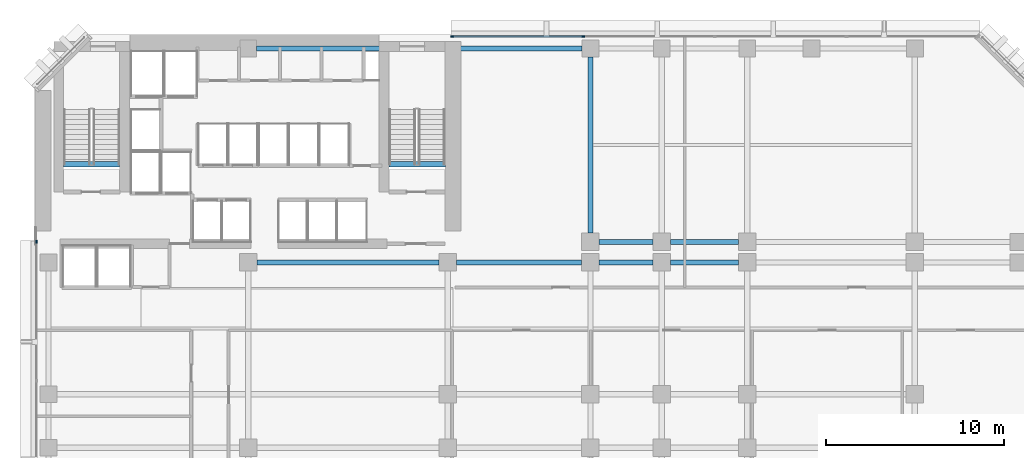
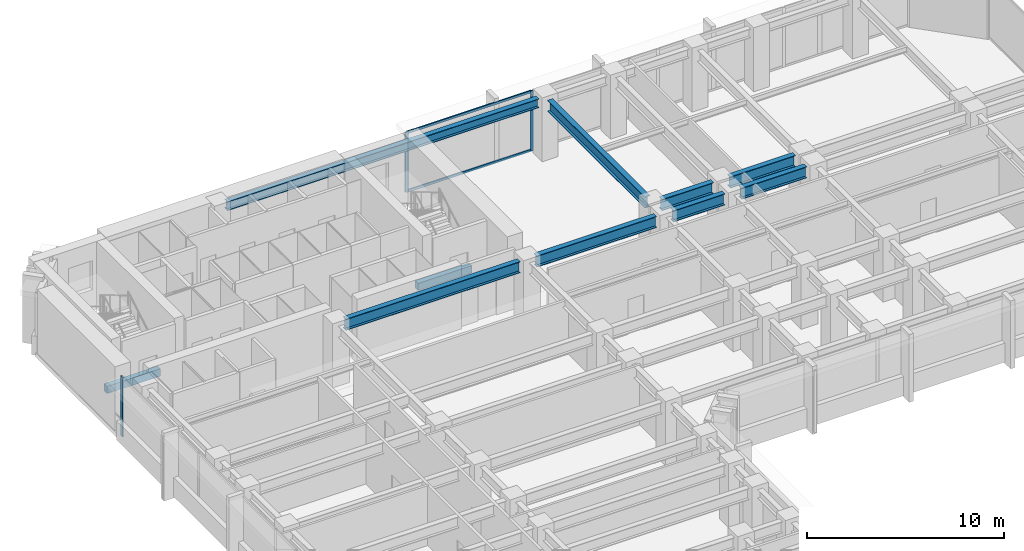
# One storey, part 4 of 14: 10 beams, 5 members, 2 elements without a shape of their own.
"""IFC4 building model written with IfcOpenShell, lengths in metres."""

from ifc_helpers import new_model, si_unit, direction, frame, origin, origin_2d, place, context, subcontext, project, spatial, rectangle, i_section, extrude, material, layer, layer_set, material_profile, profile_set, type_object, element, aggregate, save


model = new_model("IFC4")

# Units and contexts
model_context = context("Model", 3, precision=1e-05, world=origin(), true_north=direction((0.0, 1.0)))
body_context = subcontext(model_context, "Body", "Model", "MODEL_VIEW")
ifc_project = project(units=[si_unit("LENGTHUNIT", "METRE"), si_unit("AREAUNIT", "SQUARE_METRE"), si_unit("VOLUMEUNIT", "CUBIC_METRE"), si_unit("PLANEANGLEUNIT", "RADIAN"), si_unit("MASSUNIT", "GRAM", prefix="KILO")], contexts=[model_context])

# Site, building, storey
site_placement = place(None, origin())
site = spatial("IfcSite", under=ifc_project, at=site_placement, CompositionType="ELEMENT")
building_placement = place(site_placement, origin())
building = spatial("IfcBuilding", under=site, at=building_placement, Name="Kefirva Bronze Tower", CompositionType="ELEMENT")
storey_placement = place(building_placement, frame((0.0, 0.0, 50.159912109375)))
storey = spatial("IfcBuildingStorey", under=building, at=storey_placement, Name="L11", CompositionType="ELEMENT", Elevation=50.159912109375)

# Curtain wall, members
ifc_material_1 = material(Name="Bronze anodised aluminium", Category="aluminium")
ifc_layer = layer(ifc_material_1, 0.199951171875, Name="Bronze anodised aluminium")
ifc_layer_set = layer_set([ifc_layer], Name="Bronze anodised aluminium")
curtain_wall_type = type_object("IfcCurtainWallType", Name="Unitised Bronze Ribbon Curtain Wall Zone 1", PredefinedType="USERDEFINED", material=ifc_layer_set)
curtain_wall_1_placement = place(storey_placement, origin())
curtain_wall_1 = element("IfcCurtainWall", 1, at=curtain_wall_1_placement, inside=storey, type_object=curtain_wall_type, Name="L11 Curtain Wall 3", ObjectType="UNITISED CURTAIN WALL", PredefinedType="USERDEFINED")
ifc_material_profile_1 = material_profile(ifc_material_1, rectangle(XDim=0.074951171875, YDim=0.179931640625, at=origin_2d()), Name="ALU 75x180")
ifc_profile_set_1 = profile_set([ifc_material_profile_1], Name="Bronze anodised aluminium")
member_type_1 = type_object("IfcMemberType", Name="Bronze Mullion 75x180", PredefinedType="MULLION", material=ifc_profile_set_1)
member_1_placement = place(storey_placement, frame((30.7900390625, 45.8798828125, 0.0), z_axis=(0.0, 0.0, 1.0), x_axis=(0.0, -1.0, 0.0)))
member_1 = element("IfcMember", 2, at=member_1_placement, type_object=member_type_1, Name="CW-01 mullion 4", PredefinedType="MULLION", context=body_context, shape_type="SweptSolid", body=[
    extrude(rectangle(XDim=0.074951171875, YDim=0.179931640625, at=origin_2d()), origin(), (0.0, 0.0, 1.0), 3.710205078125),
])
member_2_placement = place(storey_placement, frame((23.4423828125, 45.8798828125, 0.0), z_axis=(0.0, 0.0, 1.0), x_axis=(0.0, -1.0, 0.0)))
member_2 = element("IfcMember", 3, at=member_2_placement, type_object=member_type_1, Name="CW-01 mullion 5", PredefinedType="MULLION", context=body_context, shape_type="SweptSolid", body=[
    extrude(rectangle(XDim=0.074951171875, YDim=0.179931640625, at=origin_2d()), origin(), (0.0, 0.0, 1.0), 3.710205078125),
])

# Curtain wall, member
curtain_wall_2_placement = place(storey_placement, origin())
curtain_wall_2 = element("IfcCurtainWall", 4, at=curtain_wall_2_placement, inside=storey, type_object=curtain_wall_type, Name="L11 Curtain Wall 4", ObjectType="UNITISED CURTAIN WALL", PredefinedType="USERDEFINED")
member_3_placement = place(storey_placement, frame((0.1201171875, 34.357421875, 0.0), z_axis=(0.0, 0.0, 1.0), x_axis=(1.0, 0.0, 0.0)))
member_3 = element("IfcMember", 5, at=member_3_placement, type_object=member_type_1, Name="CW-01 mullion 1", PredefinedType="MULLION", context=body_context, shape_type="SweptSolid", body=[
    extrude(rectangle(XDim=0.074951171875, YDim=0.179931640625, at=origin_2d()), origin(), (0.0, 0.0, 1.0), 3.710205078125),
])
aggregate(curtain_wall_2, [member_3])

# Member
ifc_material_profile_2 = material_profile(ifc_material_1, rectangle(XDim=0.074951171875, YDim=0.14990234375, at=origin_2d()), Name="ALU 75x150")
ifc_profile_set_2 = profile_set([ifc_material_profile_2], Name="Bronze anodised aluminium")
member_type_2 = type_object("IfcMemberType", Name="Bronze Transom 75x150", PredefinedType="USERDEFINED", material=ifc_profile_set_2)
member_4_placement = place(storey_placement, frame((30.75244140625, 45.8798828125, 0.03759765625), z_axis=(-1.0, 0.0, 0.0), x_axis=(0.0, -1.0, 0.0)))
member_4 = element("IfcMember", 6, at=member_4_placement, type_object=member_type_2, Name="CW-01 transom 4.1", ObjectType="TRANSOM", PredefinedType="USERDEFINED", context=body_context, shape_type="SweptSolid", body=[
    extrude(rectangle(XDim=0.074951171875, YDim=0.14990234375, at=origin_2d()), origin(), (0.0, 0.0, 1.0), 7.2724609375),
])

member_5_placement = place(storey_placement, frame((30.75244140625, 45.8798828125, 3.672607421875), z_axis=(-1.0, 0.0, 0.0), x_axis=(0.0, -1.0, 0.0)))
member_5 = element("IfcMember", 7, at=member_5_placement, type_object=member_type_2, Name="CW-01 transom 4.2", ObjectType="TRANSOM", PredefinedType="USERDEFINED", context=body_context, shape_type="SweptSolid", body=[
    extrude(rectangle(XDim=0.074951171875, YDim=0.14990234375, at=origin_2d()), origin(), (0.0, 0.0, 1.0), 7.2724609375),
])

aggregate(curtain_wall_1, [member_1, member_2, member_4, member_5])

# Beams
ifc_material_2 = material(Name="Concrete C50/60", Category="concrete")
ifc_material_profile_3 = material_profile(ifc_material_2, rectangle(XDim=0.300048828125, YDim=0.449951171875, at=origin_2d()), Name="RC 300x450")
ifc_profile_set_3 = profile_set([ifc_material_profile_3], Name="Concrete C50/60")
beam_type_1 = type_object("IfcBeamType", Name="RC Stair Trimmer Beam 300x450", PredefinedType="BEAM", material=ifc_profile_set_3)
beam_1_placement = place(storey_placement, frame((1.64501953125, 38.699951171875, -0.224853515625), z_axis=(1.0, 0.0, 0.0), x_axis=(0.0, 1.0, 0.0)))
element("IfcBeam", 8, at=beam_1_placement, inside=storey, type_object=beam_type_1, Name="L11 Stair 1 Landing Trimmer Beam", PredefinedType="BEAM", context=body_context, shape_type="SweptSolid", body=[
    extrude(rectangle(XDim=0.300048828125, YDim=0.449951171875, at=origin_2d()), origin(), (0.0, 0.0, 1.0), 3.14990234375),
])
beam_2_placement = place(storey_placement, frame((19.89501953125, 38.699951171875, -0.224853515625), z_axis=(1.0, 0.0, 0.0), x_axis=(0.0, 1.0, 0.0)))
element("IfcBeam", 9, at=beam_2_placement, inside=storey, type_object=beam_type_1, Name="L11 Stair 2 Landing Trimmer Beam", PredefinedType="BEAM", context=body_context, shape_type="SweptSolid", body=[
    extrude(rectangle(XDim=0.300048828125, YDim=0.449951171875, at=origin_2d()), origin(), (0.0, 0.0, 1.0), 3.159912109375),
])
ifc_material_3 = material(Name="Steel S355", Category="steel")
ifc_material_profile_4 = material_profile(ifc_material_3, i_section(OverallWidth=0.300048828125, OverallDepth=0.699951171875, WebThickness=0.01708984375, FlangeThickness=0.031982421875, at=origin_2d()), Name="HEB 700")
ifc_profile_set_4 = profile_set([ifc_material_profile_4], Name="Steel S355")
beam_type_2 = type_object("IfcBeamType", Name="Steel Girder HEB 700", PredefinedType="USERDEFINED", material=ifc_profile_set_4)
beam_3_placement = place(storey_placement, frame((12.489990234375, 33.199951171875, 3.360107421875), z_axis=(1.0, 0.0, 0.0), x_axis=(0.0, 1.0, 0.0)))
element("IfcBeam", 10, at=beam_3_placement, inside=storey, type_object=beam_type_2, Name="L11 BM-L11-EW-12-332", ObjectType="GIRDER", PredefinedType="USERDEFINED", context=body_context, shape_type="SweptSolid", body=[
    extrude(i_section(OverallWidth=0.300048828125, OverallDepth=0.699951171875, WebThickness=0.01708984375, FlangeThickness=0.031982421875, at=origin_2d()), origin(), (0.0, 0.0, 1.0), 10.219970703125),
])
beam_4_placement = place(storey_placement, frame((23.68994140625, 33.199951171875, 3.360107421875), z_axis=(1.0, 0.0, 0.0), x_axis=(0.0, 1.0, 0.0)))
element("IfcBeam", 11, at=beam_4_placement, inside=storey, type_object=beam_type_2, Name="L11 BM-L11-EW-23-332", ObjectType="GIRDER", PredefinedType="USERDEFINED", context=body_context, shape_type="SweptSolid", body=[
    extrude(i_section(OverallWidth=0.300048828125, OverallDepth=0.699951171875, WebThickness=0.01708984375, FlangeThickness=0.031982421875, at=origin_2d()), origin(), (0.0, 0.0, 1.0), 7.02001953125),
])
beam_5_placement = place(storey_placement, frame((31.68994140625, 33.199951171875, 3.360107421875), z_axis=(1.0, 0.0, 0.0), x_axis=(0.0, 1.0, 0.0)))
element("IfcBeam", 12, at=beam_5_placement, inside=storey, type_object=beam_type_2, Name="L11 BM-L11-EW-31-332", ObjectType="GIRDER", PredefinedType="USERDEFINED", context=body_context, shape_type="SweptSolid", body=[
    extrude(i_section(OverallWidth=0.300048828125, OverallDepth=0.699951171875, WebThickness=0.01708984375, FlangeThickness=0.031982421875, at=origin_2d()), origin(), (0.0, 0.0, 1.0), 3.02001953125),
])
beam_6_placement = place(storey_placement, frame((35.68994140625, 33.199951171875, 3.360107421875), z_axis=(1.0, 0.0, 0.0), x_axis=(0.0, 1.0, 0.0)))
element("IfcBeam", 13, at=beam_6_placement, inside=storey, type_object=beam_type_2, Name="L11 BM-L11-EW-35-332", ObjectType="GIRDER", PredefinedType="USERDEFINED", context=body_context, shape_type="SweptSolid", body=[
    extrude(i_section(OverallWidth=0.300048828125, OverallDepth=0.699951171875, WebThickness=0.01708984375, FlangeThickness=0.031982421875, at=origin_2d()), origin(), (0.0, 0.0, 1.0), 3.820068359375),
])
beam_7_placement = place(storey_placement, frame((31.68994140625, 34.35009765625, 3.360107421875), z_axis=(1.0, 0.0, 0.0), x_axis=(0.0, 1.0, 0.0)))
element("IfcBeam", 14, at=beam_7_placement, inside=storey, type_object=beam_type_2, Name="L11 BM-L11-EW-31-344", ObjectType="GIRDER", PredefinedType="USERDEFINED", context=body_context, shape_type="SweptSolid", body=[
    extrude(i_section(OverallWidth=0.300048828125, OverallDepth=0.699951171875, WebThickness=0.01708984375, FlangeThickness=0.031982421875, at=origin_2d()), origin(), (0.0, 0.0, 1.0), 3.02001953125),
])
beam_8_placement = place(storey_placement, frame((35.68994140625, 34.35009765625, 3.360107421875), z_axis=(1.0, 0.0, 0.0), x_axis=(0.0, 1.0, 0.0)))
element("IfcBeam", 15, at=beam_8_placement, inside=storey, type_object=beam_type_2, Name="L11 BM-L11-EW-35-344", ObjectType="GIRDER", PredefinedType="USERDEFINED", context=body_context, shape_type="SweptSolid", body=[
    extrude(i_section(OverallWidth=0.300048828125, OverallDepth=0.699951171875, WebThickness=0.01708984375, FlangeThickness=0.031982421875, at=origin_2d()), origin(), (0.0, 0.0, 1.0), 3.820068359375),
])
beam_9_placement = place(storey_placement, frame((31.199951171875, 34.840087890625, 3.360107421875), z_axis=(0.0, 1.0, 0.0), x_axis=(-1.0, 0.0, 0.0)))
element("IfcBeam", 16, at=beam_9_placement, inside=storey, type_object=beam_type_2, Name="L11 BM-L11-NS-312-34", ObjectType="GIRDER", PredefinedType="USERDEFINED", context=body_context, shape_type="SweptSolid", body=[
    extrude(i_section(OverallWidth=0.300048828125, OverallDepth=0.699951171875, WebThickness=0.01708984375, FlangeThickness=0.031982421875, at=origin_2d()), origin(), (0.0, 0.0, 1.0), 9.889892578125),
])
ifc_material_profile_5 = material_profile(ifc_material_3, i_section(OverallWidth=0.300048828125, OverallDepth=0.550048828125, WebThickness=0.014892578125, FlangeThickness=0.029052734375, at=origin_2d()), Name="HEB 550")
ifc_profile_set_5 = profile_set([ifc_material_profile_5], Name="Steel S355")
beam_type_3 = type_object("IfcBeamType", Name="Steel Spandrel HEB 550 Ext", PredefinedType="SPANDREL", material=ifc_profile_set_5)
beam_10_placement = place(storey_placement, frame((12.469970703125, 45.199951171875, 3.43505859375), z_axis=(1.0, 0.0, 0.0), x_axis=(0.0, 1.0, 0.0)))
element("IfcBeam", 17, at=beam_10_placement, inside=storey, type_object=beam_type_3, Name="L11 BM-L11-EW-12-452", PredefinedType="SPANDREL", context=body_context, shape_type="SweptSolid", body=[
    extrude(i_section(OverallWidth=0.300048828125, OverallDepth=0.550048828125, WebThickness=0.014892578125, FlangeThickness=0.029052734375, at=origin_2d()), origin(), (0.0, 0.0, 1.0), 18.260009765625),
])

save(model, "model.ifc")
